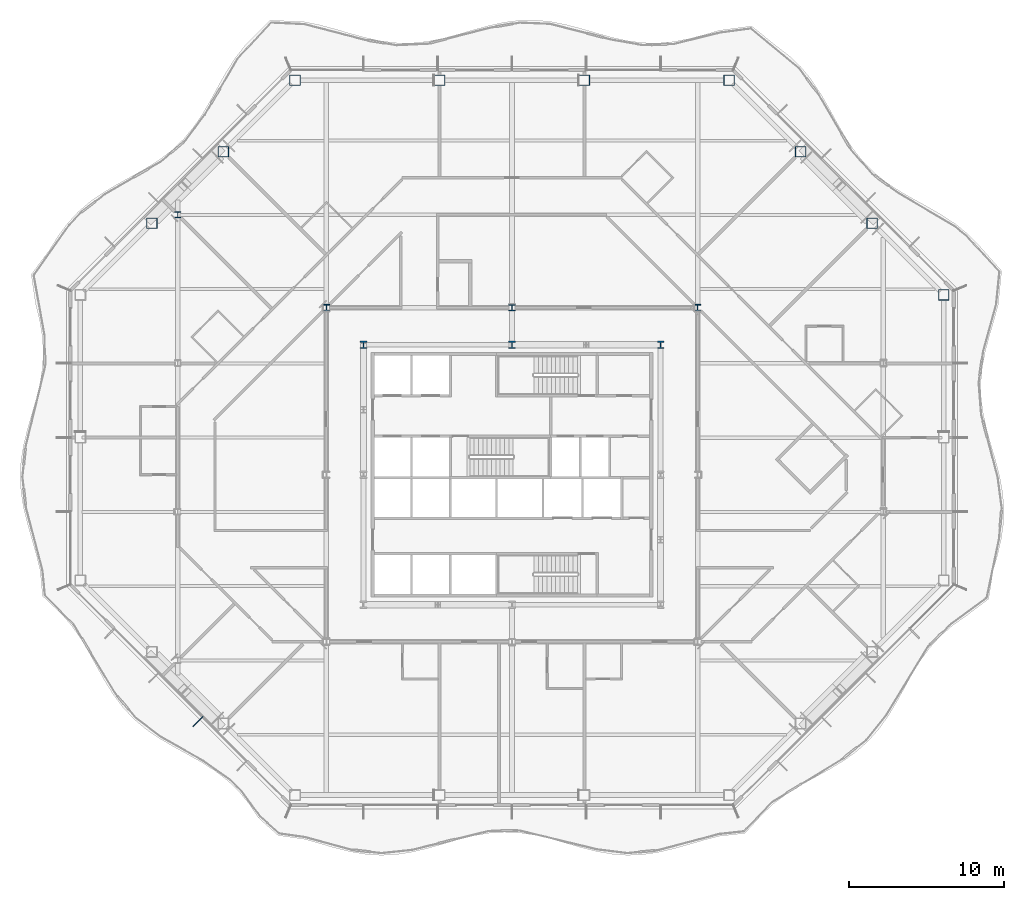
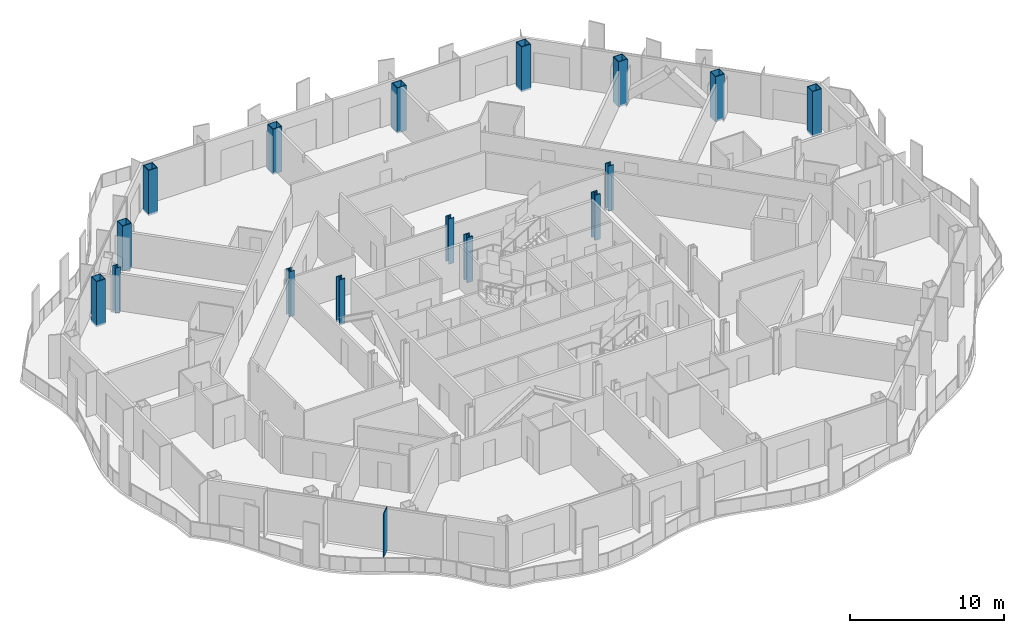
# One storey, part 2 of 21: 16 columns, 1 member, 1 element without a shape of its own.
"""IFC4 building model written with IfcOpenShell, lengths in metres."""

from ifc_helpers import new_model, si_unit, direction, frame, origin, origin_2d, place, context, subcontext, project, spatial, rectangle, hollow_rectangle, i_section, extrude, material, material_profile, profile_set, type_object, element, aggregate, save


model = new_model("IFC4")

# Units and contexts
model_context = context("Model", 3, precision=1e-05, world=origin(), true_north=direction((0.0, 1.0)))
body_context = subcontext(model_context, "Body", "Model", "MODEL_VIEW")
ifc_project = project(units=[si_unit("LENGTHUNIT", "METRE"), si_unit("AREAUNIT", "SQUARE_METRE"), si_unit("VOLUMEUNIT", "CUBIC_METRE"), si_unit("PLANEANGLEUNIT", "RADIAN"), si_unit("MASSUNIT", "GRAM", prefix="KILO")], contexts=[model_context])

# Site, building, storey
site_placement = place(None, origin())
site = spatial("IfcSite", under=ifc_project, at=site_placement, CompositionType="ELEMENT")
building_placement = place(site_placement, origin())
building = spatial("IfcBuilding", under=site, at=building_placement, Name="Cairn Pilgrim Tower", CompositionType="ELEMENT")
storey_placement = place(building_placement, frame((0.0, 0.0, 129.0)))
storey = spatial("IfcBuildingStorey", under=building, at=storey_placement, Name="L31", CompositionType="ELEMENT", Elevation=129.0)

# Columns
ifc_material_1 = material(Name="Structural steel S460M", Category="steel")
ifc_material_profile_1 = material_profile(ifc_material_1, hollow_rectangle(XDim=0.699951171875, YDim=0.699951171875, WallThickness=0.0400390625, at=origin_2d()), Name="BOX 700x700x40")
ifc_profile_set_1 = profile_set([ifc_material_profile_1], Name="Structural steel S460M")
column_type_1 = type_object("IfcColumnType", Name="BOX 700x700x40", PredefinedType="COLUMN", material=ifc_profile_set_1)
for number, where, z_axis, x_axis, name in (
    (1, (35.10009765625, 14.027099609375, -0.14990234375), (0.0, 0.0, 1.0), (1.0, 0.0, 0.0), "PC2-NE1"),
    (2, (30.4755859375, 18.651611328125, -0.14990234375), (0.0, 0.0, 1.0), (1.0, 0.0, 0.0), "PC2-NE2"),
    (3, (25.8515625, 23.275634765625, -0.14990234375), (0.0, 0.0, 1.0), (1.0, 0.0, 0.0), "PC2-NE3"),
    (4, (21.227294921875, 27.89990234375, -0.14990234375), (0.0, 0.0, 1.0), (1.0, 0.0, 0.0), "PC2-N1"),
    (5, (11.875732421875, 27.89990234375, -0.14990234375), (0.0, 0.0, 1.0), (1.0, 0.0, 0.0), "PC2-N2"),
    (6, (2.5244140625, 27.89990234375, -0.14990234375), (0.0, 0.0, 1.0), (1.0, 0.0, 0.0), "PC2-N3"),
    (7, (-6.8271484375, 27.89990234375, -0.14990234375), (0.0, 0.0, 1.0), (1.0, 0.0, 0.0), "PC2-NW1"),
    (8, (-11.451416015625, 23.275634765625, -0.14990234375), (0.0, 0.0, 1.0), (1.0, 0.0, 0.0), "PC2-NW2"),
    (9, (-16.07568359375, 18.651611328125, -0.14990234375), (0.0, 0.0, 1.0), (1.0, 0.0, 0.0), "PC2-NW3"),
):
    element("IfcColumn", number, at=place(storey_placement, frame(where, z_axis=z_axis, x_axis=x_axis)), inside=storey, type_object=column_type_1, Name=name, PredefinedType="COLUMN", context=body_context, shape_type="SweptSolid", body=[
        extrude(hollow_rectangle(XDim=0.699951171875, YDim=0.699951171875, WallThickness=0.0400390625, at=origin_2d()), origin(), (0.0, 0.0, 1.0), 3.599853515625),
    ])
ifc_material_2 = material(Name="Structural steel S355J2", Category="steel")
ifc_material_profile_2 = material_profile(ifc_material_2, i_section(OverallWidth=0.39892578125, OverallDepth=0.39306640625, WebThickness=0.022705078125, FlangeThickness=0.03662109375, FilletRadius=0.014892578125, at=origin_2d()), Name="HD 400x287")
ifc_profile_set_2 = profile_set([ifc_material_profile_2], Name="Structural steel S355J2")
column_type_2 = type_object("IfcColumnType", Name="HD 400x287", PredefinedType="COLUMN", material=ifc_profile_set_2)
column_placement = place(storey_placement, frame((-14.39990234375, 19.199951171875, -0.14990234375), z_axis=(0.0, 0.0, 1.0), x_axis=(1.0, 0.0, 0.0)))
element("IfcColumn", 10, at=column_placement, inside=storey, type_object=column_type_2, Name="WC-WW+4", PredefinedType="COLUMN", context=body_context, shape_type="SweptSolid", body=[
    extrude(i_section(OverallWidth=0.39892578125, OverallDepth=0.39306640625, WebThickness=0.022705078125, FlangeThickness=0.03662109375, FilletRadius=0.014892578125, at=origin_2d()), origin(), (0.0, 0.0, 1.0), 3.599853515625),
])
ifc_material_profile_3 = material_profile(ifc_material_1, i_section(OverallWidth=0.408935546875, OverallDepth=0.425048828125, WebThickness=0.03271484375, FlangeThickness=0.052490234375, FilletRadius=0.014892578125, at=origin_2d()), Name="HD 400x421")
ifc_profile_set_3 = profile_set([ifc_material_profile_3], Name="Structural steel S460M")
column_type_3 = type_object("IfcColumnType", Name="HD 400x421", PredefinedType="COLUMN", material=ifc_profile_set_3)
for number, where, z_axis, x_axis, name in (
    (11, (-4.800048828125, 13.199951171875, -0.14990234375), (0.0, 0.0, 1.0), (1.0, 0.0, 0.0), "IC-6"),
    (12, (7.199951171875, 13.199951171875, -0.14990234375), (0.0, 0.0, 1.0), (1.0, 0.0, 0.0), "IC-7"),
    (13, (19.199951171875, 13.199951171875, -0.14990234375), (0.0, 0.0, 1.0), (1.0, 0.0, 0.0), "IC-8"),
):
    element("IfcColumn", number, at=place(storey_placement, frame(where, z_axis=z_axis, x_axis=x_axis)), inside=storey, type_object=column_type_3, Name=name, PredefinedType="COLUMN", context=body_context, shape_type="SweptSolid", body=[
        extrude(i_section(OverallWidth=0.408935546875, OverallDepth=0.425048828125, WebThickness=0.03271484375, FlangeThickness=0.052490234375, FilletRadius=0.014892578125, at=origin_2d()), origin(), (0.0, 0.0, 1.0), 3.599853515625),
    ])
ifc_material_profile_4 = material_profile(ifc_material_1, i_section(OverallWidth=0.424072265625, OverallDepth=0.47412109375, WebThickness=0.047607421875, FlangeThickness=0.0771484375, FilletRadius=0.014892578125, at=origin_2d()), Name="HD 400x634")
ifc_profile_set_4 = profile_set([ifc_material_profile_4], Name="Structural steel S460M")
column_type_4 = type_object("IfcColumnType", Name="HD 400x634", PredefinedType="COLUMN", material=ifc_profile_set_4)
for number, where, z_axis, x_axis, name in (
    (14, (-2.39990234375, 10.800048828125, -0.14990234375), (0.0, 0.0, 1.0), (1.0, 0.0, 0.0), "KC-6"),
    (15, (7.199951171875, 10.800048828125, -0.14990234375), (0.0, 0.0, 1.0), (1.0, 0.0, 0.0), "KC-7"),
    (16, (16.800048828125, 10.800048828125, -0.14990234375), (0.0, 0.0, 1.0), (1.0, 0.0, 0.0), "KC-8"),
):
    element("IfcColumn", number, at=place(storey_placement, frame(where, z_axis=z_axis, x_axis=x_axis)), inside=storey, type_object=column_type_4, Name=name, PredefinedType="COLUMN", context=body_context, shape_type="SweptSolid", body=[
        extrude(i_section(OverallWidth=0.424072265625, OverallDepth=0.47412109375, WebThickness=0.047607421875, FlangeThickness=0.0771484375, FilletRadius=0.014892578125, at=origin_2d()), origin(), (0.0, 0.0, 1.0), 3.599853515625),
    ])

# Curtain wall, member
ifc_material_3 = material(Name="Aluminium alloy 6063-T6 bronze anodised with Bronze tinted laminated low-E glass 8+16+8.8", Category="aluminium")
curtain_wall_type = type_object("IfcCurtainWallType", Name="CHAMFER CORNER CURTAIN WALL", PredefinedType="NOTDEFINED", material=ifc_material_3)
curtain_wall_placement = place(storey_placement, origin())
curtain_wall = element("IfcCurtainWall", 17, at=curtain_wall_placement, inside=storey, type_object=curtain_wall_type, Name="Chamfer Corner Curtain Wall SW", PredefinedType="NOTDEFINED")
ifc_material_4 = material(Name="Aluminium alloy 6063-T6 bronze anodised", Category="aluminium")
ifc_material_profile_5 = material_profile(ifc_material_4, rectangle(XDim=0.89990234375, YDim=0.06005859375, at=origin_2d()), Name="FIN MULLION 60x900 BRONZE")
ifc_profile_set_5 = profile_set([ifc_material_profile_5], Name="Aluminium alloy 6063-T6 bronze anodised")
member_type = type_object("IfcMemberType", Name="FIN MULLION 60x900 BRONZE", PredefinedType="MULLION", material=ifc_profile_set_5)
member_placement = place(storey_placement, frame((-13.094970703125, -13.545654296875, 0.0), z_axis=(0.0, 0.0, 1.0), x_axis=(-0.707106781187, -0.707106781187, 0.0)))
member = element("IfcMember", 18, at=member_placement, type_object=member_type, Name="Fin mullion SW4", PredefinedType="MULLION", context=body_context, shape_type="SweptSolid", body=[
    extrude(rectangle(XDim=0.89990234375, YDim=0.06005859375, at=origin_2d()), origin(), (0.0, 0.0, 1.0), 3.449951171875),
])
aggregate(curtain_wall, [member])

save(model, "model.ifc")
